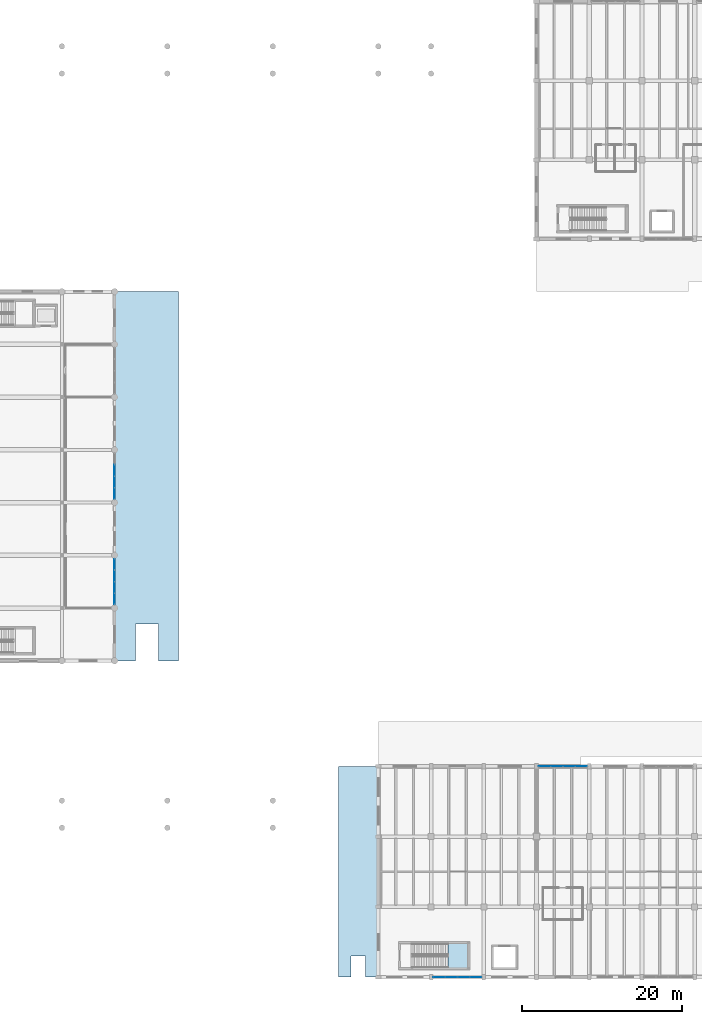
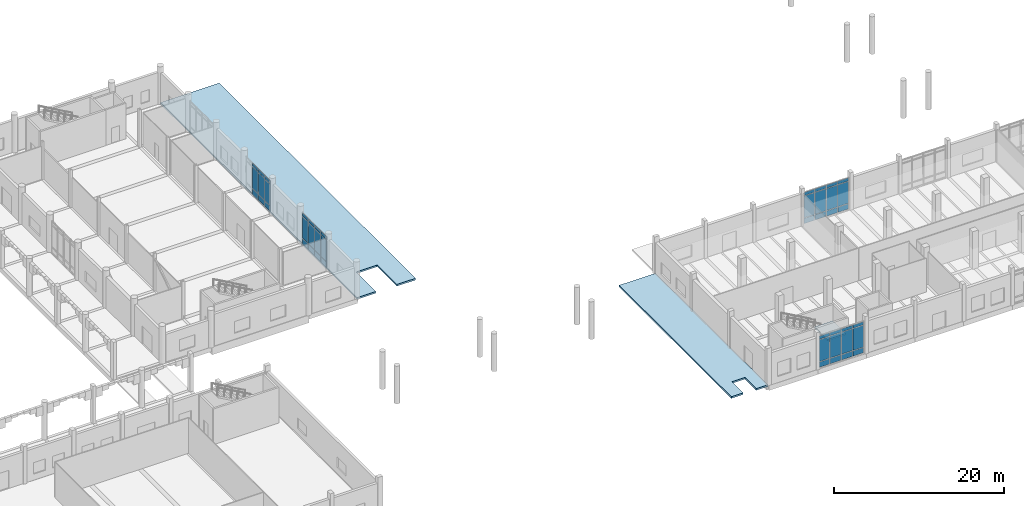
# One storey, part 33 of 72: 45 plates, 3 slabs, 5 elements without a shape of their own.
"""IFC4 building model written with IfcOpenShell, lengths in metres."""

from ifc_helpers import new_model, si_unit, direction, frame, origin, origin_2d, place, context, subcontext, project, spatial, polyline, rectangle, outline, extrude, material, layer, layer_set, type_object, element, aggregate, save


model = new_model("IFC4")

# Units and contexts
model_context = context("Model", 3, precision=1e-05, world=origin(), true_north=direction((0.0, 1.0)))
body_context = subcontext(model_context, "Body", "Model", "MODEL_VIEW")
ifc_project = project(units=[si_unit("LENGTHUNIT", "METRE"), si_unit("AREAUNIT", "SQUARE_METRE"), si_unit("VOLUMEUNIT", "CUBIC_METRE"), si_unit("PLANEANGLEUNIT", "RADIAN"), si_unit("MASSUNIT", "GRAM", prefix="KILO")], contexts=[model_context])

# Site, building, storey
site_placement = place(None, origin())
site = spatial("IfcSite", under=ifc_project, at=site_placement, CompositionType="ELEMENT")
building_placement = place(site_placement, origin())
building = spatial("IfcBuilding", under=site, at=building_placement, Name="Dornvale Research Institute", CompositionType="ELEMENT")
storey_placement = place(building_placement, origin())
storey = spatial("IfcBuildingStorey", under=building, at=storey_placement, Name="L00", CompositionType="ELEMENT", Elevation=0.0)

# Slabs
ifc_material_1 = material(Name="Concrete f'c 35 MPa (C30/37)", Category="concrete")
ifc_layer_1 = layer(ifc_material_1, 0.239990234375)
ifc_layer_set_1 = layer_set([ifc_layer_1], Name="Concrete f'c 35 MPa (C30/37)")
slab_type_1 = type_object("IfcSlabType", Name="BaseSlab_Apron_240_Ext", PredefinedType="BASESLAB", material=ifc_layer_set_1)
slab_1_placement = place(storey_placement, frame((0.0, 0.0, -0.239990234375)))
element("IfcSlab", 1, at=slab_1_placement, inside=storey, type_object=slab_type_1, Name="L00 exterior colonnade and grade walk APR-ST-V2E", PredefinedType="BASESLAB", context=body_context, shape_type="SweptSolid", body=[
    extrude(outline(polyline([(66.050048828125, 39.60009765625), (68.593994140625, 39.60009765625), (68.593994140625, 44.219970703125), (71.4560546875, 44.219970703125), (71.4560546875, 39.60009765625), (74.0, 39.60009765625), (74.0, 85.800048828125), (66.050048828125, 85.800048828125), (66.050048828125, 39.60009765625)])), origin(), (0.0, 0.0, 1.0), 0.239990234375),
])
slab_2_placement = place(storey_placement, frame((0.0, 0.0, -0.239990234375)))
element("IfcSlab", 2, at=slab_2_placement, inside=storey, type_object=slab_type_1, Name="L00 exterior colonnade and grade walk APR-ST-V3W", PredefinedType="BASESLAB", context=body_context, shape_type="SweptSolid", body=[
    extrude(outline(polyline([(94.0, 0.0), (95.583984375, 0.0), (95.583984375, 2.639892578125), (97.365966796875, 2.639892578125), (97.365966796875, 0.0), (98.949951171875, 0.0), (98.949951171875, 26.39990234375), (94.0, 26.39990234375), (94.0, 0.0)])), origin(), (0.0, 0.0, 1.0), 0.239990234375),
])

# Curtain wall, plates
ifc_material_2 = material(Name="Low-E Argon Double Insulating Glazing Unit", Category="glass")
curtain_wall_type_1 = type_object("IfcCurtainWallType", Name="UnitisedCurtainWall_V2_5810x4550", PredefinedType="USERDEFINED", material=ifc_material_2)
curtain_wall_1_placement = place(storey_placement, origin())
curtain_wall_1 = element("IfcCurtainWall", 3, at=curtain_wall_1_placement, inside=storey, type_object=curtain_wall_type_1, Name="L00 V2 unitised curtain wall CW-01 #3", ObjectType="UNITISED CURTAIN WALL", PredefinedType="USERDEFINED")
ifc_material_3 = material(Name="Insulated Ceramic-Frit Spandrel Glass Panel", Category="glass")
ifc_layer_2 = layer(ifc_material_3, 0.0419921875)
ifc_layer_set_2 = layer_set([ifc_layer_2], Name="Insulated Ceramic-Frit Spandrel Glass Panel")
plate_type_1 = type_object("IfcPlateType", Name="CurtainPanel_Spandrel_42", PredefinedType="CURTAIN_PANEL", material=ifc_layer_set_2)
plate_1_placement = place(storey_placement, frame((66.0, 63.42626953125, 0.06494140625), z_axis=(0.0, 0.0, 1.0), x_axis=(0.0, -1.0, 0.0)))
plate_1 = element("IfcPlate", 4, at=plate_1_placement, type_object=plate_type_1, Name="CW-01 panel 2.1", PredefinedType="CURTAIN_PANEL", context=body_context, shape_type="SweptSolid", body=[
    extrude(rectangle(XDim=1.387451171875, YDim=0.0419921875, at=origin_2d()), origin(), (0.0, 0.0, 1.0), 0.75244140625),
])
plate_2_placement = place(storey_placement, frame((66.0, 61.9736328125, 0.06494140625), z_axis=(0.0, 0.0, 1.0), x_axis=(0.0, -1.0, 0.0)))
plate_2 = element("IfcPlate", 5, at=plate_2_placement, type_object=plate_type_1, Name="CW-01 panel 3.1", PredefinedType="CURTAIN_PANEL", context=body_context, shape_type="SweptSolid", body=[
    extrude(rectangle(XDim=1.387451171875, YDim=0.0419921875, at=origin_2d()), origin(), (0.0, 0.0, 1.0), 0.75244140625),
])
plate_3_placement = place(storey_placement, frame((66.0, 60.53759765625, 0.06494140625), z_axis=(0.0, 0.0, 1.0), x_axis=(0.0, -1.0, 0.0)))
plate_3 = element("IfcPlate", 6, at=plate_3_placement, type_object=plate_type_1, Name="CW-01 panel 4.1", PredefinedType="CURTAIN_PANEL", context=body_context, shape_type="SweptSolid", body=[
    extrude(rectangle(XDim=1.35498046875, YDim=0.0419921875, at=origin_2d()), origin(), (0.0, 0.0, 1.0), 0.75244140625),
])

curtain_wall_2_placement = place(storey_placement, origin())
curtain_wall_2 = element("IfcCurtainWall", 7, at=curtain_wall_2_placement, inside=storey, type_object=curtain_wall_type_1, Name="L00 V2 unitised curtain wall CW-01 #4", ObjectType="UNITISED CURTAIN WALL", PredefinedType="USERDEFINED")
plate_4_placement = place(storey_placement, frame((66.0, 51.66259765625, 0.06494140625), z_axis=(0.0, 0.0, 1.0), x_axis=(0.0, -1.0, 0.0)))
plate_4 = element("IfcPlate", 8, at=plate_4_placement, type_object=plate_type_1, Name="CW-01 panel 1.1", PredefinedType="CURTAIN_PANEL", context=body_context, shape_type="SweptSolid", body=[
    extrude(rectangle(XDim=1.35498046875, YDim=0.0419921875, at=origin_2d()), origin(), (0.0, 0.0, 1.0), 0.75244140625),
])
plate_5_placement = place(storey_placement, frame((66.0, 50.226318359375, 0.06494140625), z_axis=(0.0, 0.0, 1.0), x_axis=(0.0, -1.0, 0.0)))
plate_5 = element("IfcPlate", 9, at=plate_5_placement, type_object=plate_type_1, Name="CW-01 panel 2.1", PredefinedType="CURTAIN_PANEL", context=body_context, shape_type="SweptSolid", body=[
    extrude(rectangle(XDim=1.387451171875, YDim=0.0419921875, at=origin_2d()), origin(), (0.0, 0.0, 1.0), 0.75244140625),
])
plate_6_placement = place(storey_placement, frame((66.0, 48.773681640625, 0.06494140625), z_axis=(0.0, 0.0, 1.0), x_axis=(0.0, -1.0, 0.0)))
plate_6 = element("IfcPlate", 10, at=plate_6_placement, type_object=plate_type_1, Name="CW-01 panel 3.1", PredefinedType="CURTAIN_PANEL", context=body_context, shape_type="SweptSolid", body=[
    extrude(rectangle(XDim=1.387451171875, YDim=0.0419921875, at=origin_2d()), origin(), (0.0, 0.0, 1.0), 0.75244140625),
])
plate_7_placement = place(storey_placement, frame((66.0, 47.33740234375, 0.06494140625), z_axis=(0.0, 0.0, 1.0), x_axis=(0.0, -1.0, 0.0)))
plate_7 = element("IfcPlate", 11, at=plate_7_placement, type_object=plate_type_1, Name="CW-01 panel 4.1", PredefinedType="CURTAIN_PANEL", context=body_context, shape_type="SweptSolid", body=[
    extrude(rectangle(XDim=1.35498046875, YDim=0.0419921875, at=origin_2d()), origin(), (0.0, 0.0, 1.0), 0.75244140625),
])

ifc_material_4 = material(Name="Low-E Argon Double Insulating Glazing Unit", Category="glass")
curtain_wall_type_2 = type_object("IfcCurtainWallType", Name="UnitisedCurtainWall_V3_6150x4600", PredefinedType="USERDEFINED", material=ifc_material_4)
curtain_wall_3_placement = place(storey_placement, origin())
curtain_wall_3 = element("IfcCurtainWall", 12, at=curtain_wall_3_placement, inside=storey, type_object=curtain_wall_type_2, Name="L00 V3 unitised curtain wall CW-04 #20", ObjectType="UNITISED CURTAIN WALL", PredefinedType="USERDEFINED")
plate_8_placement = place(storey_placement, frame((119.81005859375, 26.39990234375, 0.06494140625), z_axis=(0.0, 0.0, 1.0), x_axis=(1.0, 0.0, 0.0)))
plate_8 = element("IfcPlate", 13, at=plate_8_placement, type_object=plate_type_1, Name="CW-04 panel 1.1", PredefinedType="CURTAIN_PANEL", context=body_context, shape_type="SweptSolid", body=[
    extrude(rectangle(XDim=1.43994140625, YDim=0.0419921875, at=origin_2d()), origin(), (0.0, 0.0, 1.0), 0.75244140625),
])
plate_9_placement = place(storey_placement, frame((121.331298828125, 26.39990234375, 0.06494140625), z_axis=(0.0, 0.0, 1.0), x_axis=(1.0, 0.0, 0.0)))
plate_9 = element("IfcPlate", 14, at=plate_9_placement, type_object=plate_type_1, Name="CW-04 panel 2.1", PredefinedType="CURTAIN_PANEL", context=body_context, shape_type="SweptSolid", body=[
    extrude(rectangle(XDim=1.472412109375, YDim=0.0419921875, at=origin_2d()), origin(), (0.0, 0.0, 1.0), 0.75244140625),
])
plate_10_placement = place(storey_placement, frame((122.86865234375, 26.39990234375, 0.06494140625), z_axis=(0.0, 0.0, 1.0), x_axis=(1.0, 0.0, 0.0)))
plate_10 = element("IfcPlate", 15, at=plate_10_placement, type_object=plate_type_1, Name="CW-04 panel 3.1", PredefinedType="CURTAIN_PANEL", context=body_context, shape_type="SweptSolid", body=[
    extrude(rectangle(XDim=1.472412109375, YDim=0.0419921875, at=origin_2d()), origin(), (0.0, 0.0, 1.0), 0.75244140625),
])
plate_11_placement = place(storey_placement, frame((124.389892578125, 26.39990234375, 0.06494140625), z_axis=(0.0, 0.0, 1.0), x_axis=(1.0, 0.0, 0.0)))
plate_11 = element("IfcPlate", 16, at=plate_11_placement, type_object=plate_type_1, Name="CW-04 panel 4.1", PredefinedType="CURTAIN_PANEL", context=body_context, shape_type="SweptSolid", body=[
    extrude(rectangle(XDim=1.43994140625, YDim=0.0419921875, at=origin_2d()), origin(), (0.0, 0.0, 1.0), 0.75244140625),
])

curtain_wall_4_placement = place(storey_placement, origin())
curtain_wall_4 = element("IfcCurtainWall", 17, at=curtain_wall_4_placement, inside=storey, type_object=curtain_wall_type_2, Name="L00 V3 unitised curtain wall CW-04 #29", ObjectType="UNITISED CURTAIN WALL", PredefinedType="USERDEFINED")
plate_12_placement = place(storey_placement, frame((111.18994140625, 0.0, 0.06494140625), z_axis=(0.0, 0.0, 1.0), x_axis=(-1.0, 0.0, 0.0)))
plate_12 = element("IfcPlate", 18, at=plate_12_placement, type_object=plate_type_1, Name="CW-04 panel 1.1", PredefinedType="CURTAIN_PANEL", context=body_context, shape_type="SweptSolid", body=[
    extrude(rectangle(XDim=1.43994140625, YDim=0.0419921875, at=origin_2d()), origin(), (0.0, 0.0, 1.0), 0.75244140625),
])
plate_13_placement = place(storey_placement, frame((109.668701171875, 0.0, 0.06494140625), z_axis=(0.0, 0.0, 1.0), x_axis=(-1.0, 0.0, 0.0)))
plate_13 = element("IfcPlate", 19, at=plate_13_placement, type_object=plate_type_1, Name="CW-04 panel 2.1", PredefinedType="CURTAIN_PANEL", context=body_context, shape_type="SweptSolid", body=[
    extrude(rectangle(XDim=1.472412109375, YDim=0.0419921875, at=origin_2d()), origin(), (0.0, 0.0, 1.0), 0.75244140625),
])
plate_14_placement = place(storey_placement, frame((108.13134765625, 0.0, 0.06494140625), z_axis=(0.0, 0.0, 1.0), x_axis=(-1.0, 0.0, 0.0)))
plate_14 = element("IfcPlate", 20, at=plate_14_placement, type_object=plate_type_1, Name="CW-04 panel 3.1", PredefinedType="CURTAIN_PANEL", context=body_context, shape_type="SweptSolid", body=[
    extrude(rectangle(XDim=1.472412109375, YDim=0.0419921875, at=origin_2d()), origin(), (0.0, 0.0, 1.0), 0.75244140625),
])
plate_15_placement = place(storey_placement, frame((106.610107421875, 0.0, 0.06494140625), z_axis=(0.0, 0.0, 1.0), x_axis=(-1.0, 0.0, 0.0)))
plate_15 = element("IfcPlate", 21, at=plate_15_placement, type_object=plate_type_1, Name="CW-04 panel 4.1", PredefinedType="CURTAIN_PANEL", context=body_context, shape_type="SweptSolid", body=[
    extrude(rectangle(XDim=1.43994140625, YDim=0.0419921875, at=origin_2d()), origin(), (0.0, 0.0, 1.0), 0.75244140625),
])

# Plate
ifc_material_5 = material(Name="Low-E Argon Double Insulating Glazing Unit", Category="glass")
ifc_layer_3 = layer(ifc_material_5, 0.028076171875)
ifc_layer_set_3 = layer_set([ifc_layer_3], Name="Low-E Argon Double Insulating Glazing Unit")
plate_type_2 = type_object("IfcPlateType", Name="CurtainPanel_Vision_28", PredefinedType="CURTAIN_PANEL", material=ifc_layer_set_3)
plate_16_placement = place(storey_placement, frame((66.0, 63.42626953125, 0.882568359375), z_axis=(0.0, 0.0, 1.0), x_axis=(0.0, -1.0, 0.0)))
plate_16 = element("IfcPlate", 22, at=plate_16_placement, type_object=plate_type_2, Name="CW-01 panel 2.2", PredefinedType="CURTAIN_PANEL", context=body_context, shape_type="SweptSolid", body=[
    extrude(rectangle(XDim=1.387451171875, YDim=0.028076171875, at=origin_2d()), origin(), (0.0, 0.0, 1.0), 3.0849609375),
])

plate_17_placement = place(storey_placement, frame((66.0, 63.42626953125, 4.03271484375), z_axis=(0.0, 0.0, 1.0), x_axis=(0.0, -1.0, 0.0)))
plate_17 = element("IfcPlate", 23, at=plate_17_placement, type_object=plate_type_2, Name="CW-01 panel 2.3", PredefinedType="CURTAIN_PANEL", context=body_context, shape_type="SweptSolid", body=[
    extrude(rectangle(XDim=1.387451171875, YDim=0.028076171875, at=origin_2d()), origin(), (0.0, 0.0, 1.0), 0.452392578125),
])

plate_18_placement = place(storey_placement, frame((66.0, 61.9736328125, 0.882568359375), z_axis=(0.0, 0.0, 1.0), x_axis=(0.0, -1.0, 0.0)))
plate_18 = element("IfcPlate", 24, at=plate_18_placement, type_object=plate_type_2, Name="CW-01 panel 3.2", PredefinedType="CURTAIN_PANEL", context=body_context, shape_type="SweptSolid", body=[
    extrude(rectangle(XDim=1.387451171875, YDim=0.028076171875, at=origin_2d()), origin(), (0.0, 0.0, 1.0), 3.0849609375),
])

plate_19_placement = place(storey_placement, frame((66.0, 61.9736328125, 4.03271484375), z_axis=(0.0, 0.0, 1.0), x_axis=(0.0, -1.0, 0.0)))
plate_19 = element("IfcPlate", 25, at=plate_19_placement, type_object=plate_type_2, Name="CW-01 panel 3.3", PredefinedType="CURTAIN_PANEL", context=body_context, shape_type="SweptSolid", body=[
    extrude(rectangle(XDim=1.387451171875, YDim=0.028076171875, at=origin_2d()), origin(), (0.0, 0.0, 1.0), 0.452392578125),
])

plate_20_placement = place(storey_placement, frame((66.0, 60.53759765625, 0.882568359375), z_axis=(0.0, 0.0, 1.0), x_axis=(0.0, -1.0, 0.0)))
plate_20 = element("IfcPlate", 26, at=plate_20_placement, type_object=plate_type_2, Name="CW-01 panel 4.2", PredefinedType="CURTAIN_PANEL", context=body_context, shape_type="SweptSolid", body=[
    extrude(rectangle(XDim=1.35498046875, YDim=0.028076171875, at=origin_2d()), origin(), (0.0, 0.0, 1.0), 3.0849609375),
])

plate_21_placement = place(storey_placement, frame((66.0, 60.53759765625, 4.03271484375), z_axis=(0.0, 0.0, 1.0), x_axis=(0.0, -1.0, 0.0)))
plate_21 = element("IfcPlate", 27, at=plate_21_placement, type_object=plate_type_2, Name="CW-01 panel 4.3", PredefinedType="CURTAIN_PANEL", context=body_context, shape_type="SweptSolid", body=[
    extrude(rectangle(XDim=1.35498046875, YDim=0.028076171875, at=origin_2d()), origin(), (0.0, 0.0, 1.0), 0.452392578125),
])

aggregate(curtain_wall_1, [plate_1, plate_16, plate_17, plate_2, plate_18, plate_19, plate_3, plate_20, plate_21])

plate_22_placement = place(storey_placement, frame((66.0, 51.66259765625, 0.882568359375), z_axis=(0.0, 0.0, 1.0), x_axis=(0.0, -1.0, 0.0)))
plate_22 = element("IfcPlate", 28, at=plate_22_placement, type_object=plate_type_2, Name="CW-01 panel 1.2", PredefinedType="CURTAIN_PANEL", context=body_context, shape_type="SweptSolid", body=[
    extrude(rectangle(XDim=1.35498046875, YDim=0.028076171875, at=origin_2d()), origin(), (0.0, 0.0, 1.0), 3.0849609375),
])

plate_23_placement = place(storey_placement, frame((66.0, 51.66259765625, 4.03271484375), z_axis=(0.0, 0.0, 1.0), x_axis=(0.0, -1.0, 0.0)))
plate_23 = element("IfcPlate", 29, at=plate_23_placement, type_object=plate_type_2, Name="CW-01 panel 1.3", PredefinedType="CURTAIN_PANEL", context=body_context, shape_type="SweptSolid", body=[
    extrude(rectangle(XDim=1.35498046875, YDim=0.028076171875, at=origin_2d()), origin(), (0.0, 0.0, 1.0), 0.452392578125),
])

plate_24_placement = place(storey_placement, frame((66.0, 50.226318359375, 0.882568359375), z_axis=(0.0, 0.0, 1.0), x_axis=(0.0, -1.0, 0.0)))
plate_24 = element("IfcPlate", 30, at=plate_24_placement, type_object=plate_type_2, Name="CW-01 panel 2.2", PredefinedType="CURTAIN_PANEL", context=body_context, shape_type="SweptSolid", body=[
    extrude(rectangle(XDim=1.387451171875, YDim=0.028076171875, at=origin_2d()), origin(), (0.0, 0.0, 1.0), 3.0849609375),
])

plate_25_placement = place(storey_placement, frame((66.0, 50.226318359375, 4.03271484375), z_axis=(0.0, 0.0, 1.0), x_axis=(0.0, -1.0, 0.0)))
plate_25 = element("IfcPlate", 31, at=plate_25_placement, type_object=plate_type_2, Name="CW-01 panel 2.3", PredefinedType="CURTAIN_PANEL", context=body_context, shape_type="SweptSolid", body=[
    extrude(rectangle(XDim=1.387451171875, YDim=0.028076171875, at=origin_2d()), origin(), (0.0, 0.0, 1.0), 0.452392578125),
])

plate_26_placement = place(storey_placement, frame((66.0, 48.773681640625, 0.882568359375), z_axis=(0.0, 0.0, 1.0), x_axis=(0.0, -1.0, 0.0)))
plate_26 = element("IfcPlate", 32, at=plate_26_placement, type_object=plate_type_2, Name="CW-01 panel 3.2", PredefinedType="CURTAIN_PANEL", context=body_context, shape_type="SweptSolid", body=[
    extrude(rectangle(XDim=1.387451171875, YDim=0.028076171875, at=origin_2d()), origin(), (0.0, 0.0, 1.0), 3.0849609375),
])

plate_27_placement = place(storey_placement, frame((66.0, 48.773681640625, 4.03271484375), z_axis=(0.0, 0.0, 1.0), x_axis=(0.0, -1.0, 0.0)))
plate_27 = element("IfcPlate", 33, at=plate_27_placement, type_object=plate_type_2, Name="CW-01 panel 3.3", PredefinedType="CURTAIN_PANEL", context=body_context, shape_type="SweptSolid", body=[
    extrude(rectangle(XDim=1.387451171875, YDim=0.028076171875, at=origin_2d()), origin(), (0.0, 0.0, 1.0), 0.452392578125),
])

plate_28_placement = place(storey_placement, frame((66.0, 47.33740234375, 0.882568359375), z_axis=(0.0, 0.0, 1.0), x_axis=(0.0, -1.0, 0.0)))
plate_28 = element("IfcPlate", 34, at=plate_28_placement, type_object=plate_type_2, Name="CW-01 panel 4.2", PredefinedType="CURTAIN_PANEL", context=body_context, shape_type="SweptSolid", body=[
    extrude(rectangle(XDim=1.35498046875, YDim=0.028076171875, at=origin_2d()), origin(), (0.0, 0.0, 1.0), 3.0849609375),
])

plate_29_placement = place(storey_placement, frame((66.0, 47.33740234375, 4.03271484375), z_axis=(0.0, 0.0, 1.0), x_axis=(0.0, -1.0, 0.0)))
plate_29 = element("IfcPlate", 35, at=plate_29_placement, type_object=plate_type_2, Name="CW-01 panel 4.3", PredefinedType="CURTAIN_PANEL", context=body_context, shape_type="SweptSolid", body=[
    extrude(rectangle(XDim=1.35498046875, YDim=0.028076171875, at=origin_2d()), origin(), (0.0, 0.0, 1.0), 0.452392578125),
])

aggregate(curtain_wall_2, [plate_4, plate_22, plate_23, plate_5, plate_24, plate_25, plate_6, plate_26, plate_27, plate_7, plate_28, plate_29])

plate_30_placement = place(storey_placement, frame((119.81005859375, 26.39990234375, 0.88232421875), z_axis=(0.0, 0.0, 1.0), x_axis=(1.0, 0.0, 0.0)))
plate_30 = element("IfcPlate", 36, at=plate_30_placement, type_object=plate_type_2, Name="CW-04 panel 1.2", PredefinedType="CURTAIN_PANEL", context=body_context, shape_type="SweptSolid", body=[
    extrude(rectangle(XDim=1.43994140625, YDim=0.028076171875, at=origin_2d()), origin(), (0.0, 0.0, 1.0), 3.135009765625),
])

plate_31_placement = place(storey_placement, frame((119.81005859375, 26.39990234375, 4.08251953125), z_axis=(0.0, 0.0, 1.0), x_axis=(1.0, 0.0, 0.0)))
plate_31 = element("IfcPlate", 37, at=plate_31_placement, type_object=plate_type_2, Name="CW-04 panel 1.3", PredefinedType="CURTAIN_PANEL", context=body_context, shape_type="SweptSolid", body=[
    extrude(rectangle(XDim=1.43994140625, YDim=0.028076171875, at=origin_2d()), origin(), (0.0, 0.0, 1.0), 0.452392578125),
])

plate_32_placement = place(storey_placement, frame((121.331298828125, 26.39990234375, 0.88232421875), z_axis=(0.0, 0.0, 1.0), x_axis=(1.0, 0.0, 0.0)))
plate_32 = element("IfcPlate", 38, at=plate_32_placement, type_object=plate_type_2, Name="CW-04 panel 2.2", PredefinedType="CURTAIN_PANEL", context=body_context, shape_type="SweptSolid", body=[
    extrude(rectangle(XDim=1.472412109375, YDim=0.028076171875, at=origin_2d()), origin(), (0.0, 0.0, 1.0), 3.135009765625),
])

plate_33_placement = place(storey_placement, frame((121.331298828125, 26.39990234375, 4.08251953125), z_axis=(0.0, 0.0, 1.0), x_axis=(1.0, 0.0, 0.0)))
plate_33 = element("IfcPlate", 39, at=plate_33_placement, type_object=plate_type_2, Name="CW-04 panel 2.3", PredefinedType="CURTAIN_PANEL", context=body_context, shape_type="SweptSolid", body=[
    extrude(rectangle(XDim=1.472412109375, YDim=0.028076171875, at=origin_2d()), origin(), (0.0, 0.0, 1.0), 0.452392578125),
])

plate_34_placement = place(storey_placement, frame((122.86865234375, 26.39990234375, 0.88232421875), z_axis=(0.0, 0.0, 1.0), x_axis=(1.0, 0.0, 0.0)))
plate_34 = element("IfcPlate", 40, at=plate_34_placement, type_object=plate_type_2, Name="CW-04 panel 3.2", PredefinedType="CURTAIN_PANEL", context=body_context, shape_type="SweptSolid", body=[
    extrude(rectangle(XDim=1.472412109375, YDim=0.028076171875, at=origin_2d()), origin(), (0.0, 0.0, 1.0), 3.135009765625),
])

plate_35_placement = place(storey_placement, frame((122.86865234375, 26.39990234375, 4.08251953125), z_axis=(0.0, 0.0, 1.0), x_axis=(1.0, 0.0, 0.0)))
plate_35 = element("IfcPlate", 41, at=plate_35_placement, type_object=plate_type_2, Name="CW-04 panel 3.3", PredefinedType="CURTAIN_PANEL", context=body_context, shape_type="SweptSolid", body=[
    extrude(rectangle(XDim=1.472412109375, YDim=0.028076171875, at=origin_2d()), origin(), (0.0, 0.0, 1.0), 0.452392578125),
])

plate_36_placement = place(storey_placement, frame((124.389892578125, 26.39990234375, 0.88232421875), z_axis=(0.0, 0.0, 1.0), x_axis=(1.0, 0.0, 0.0)))
plate_36 = element("IfcPlate", 42, at=plate_36_placement, type_object=plate_type_2, Name="CW-04 panel 4.2", PredefinedType="CURTAIN_PANEL", context=body_context, shape_type="SweptSolid", body=[
    extrude(rectangle(XDim=1.43994140625, YDim=0.028076171875, at=origin_2d()), origin(), (0.0, 0.0, 1.0), 3.135009765625),
])

plate_37_placement = place(storey_placement, frame((124.389892578125, 26.39990234375, 4.08251953125), z_axis=(0.0, 0.0, 1.0), x_axis=(1.0, 0.0, 0.0)))
plate_37 = element("IfcPlate", 43, at=plate_37_placement, type_object=plate_type_2, Name="CW-04 panel 4.3", PredefinedType="CURTAIN_PANEL", context=body_context, shape_type="SweptSolid", body=[
    extrude(rectangle(XDim=1.43994140625, YDim=0.028076171875, at=origin_2d()), origin(), (0.0, 0.0, 1.0), 0.452392578125),
])

aggregate(curtain_wall_3, [plate_8, plate_30, plate_31, plate_9, plate_32, plate_33, plate_10, plate_34, plate_35, plate_11, plate_36, plate_37])

plate_38_placement = place(storey_placement, frame((111.18994140625, 0.0, 0.88232421875), z_axis=(0.0, 0.0, 1.0), x_axis=(-1.0, 0.0, 0.0)))
plate_38 = element("IfcPlate", 44, at=plate_38_placement, type_object=plate_type_2, Name="CW-04 panel 1.2", PredefinedType="CURTAIN_PANEL", context=body_context, shape_type="SweptSolid", body=[
    extrude(rectangle(XDim=1.43994140625, YDim=0.028076171875, at=origin_2d()), origin(), (0.0, 0.0, 1.0), 3.135009765625),
])

plate_39_placement = place(storey_placement, frame((111.18994140625, 0.0, 4.08251953125), z_axis=(0.0, 0.0, 1.0), x_axis=(-1.0, 0.0, 0.0)))
plate_39 = element("IfcPlate", 45, at=plate_39_placement, type_object=plate_type_2, Name="CW-04 panel 1.3", PredefinedType="CURTAIN_PANEL", context=body_context, shape_type="SweptSolid", body=[
    extrude(rectangle(XDim=1.43994140625, YDim=0.028076171875, at=origin_2d()), origin(), (0.0, 0.0, 1.0), 0.452392578125),
])

plate_40_placement = place(storey_placement, frame((109.668701171875, 0.0, 0.88232421875), z_axis=(0.0, 0.0, 1.0), x_axis=(-1.0, 0.0, 0.0)))
plate_40 = element("IfcPlate", 46, at=plate_40_placement, type_object=plate_type_2, Name="CW-04 panel 2.2", PredefinedType="CURTAIN_PANEL", context=body_context, shape_type="SweptSolid", body=[
    extrude(rectangle(XDim=1.472412109375, YDim=0.028076171875, at=origin_2d()), origin(), (0.0, 0.0, 1.0), 3.135009765625),
])

plate_41_placement = place(storey_placement, frame((109.668701171875, 0.0, 4.08251953125), z_axis=(0.0, 0.0, 1.0), x_axis=(-1.0, 0.0, 0.0)))
plate_41 = element("IfcPlate", 47, at=plate_41_placement, type_object=plate_type_2, Name="CW-04 panel 2.3", PredefinedType="CURTAIN_PANEL", context=body_context, shape_type="SweptSolid", body=[
    extrude(rectangle(XDim=1.472412109375, YDim=0.028076171875, at=origin_2d()), origin(), (0.0, 0.0, 1.0), 0.452392578125),
])

plate_42_placement = place(storey_placement, frame((108.13134765625, 0.0, 0.88232421875), z_axis=(0.0, 0.0, 1.0), x_axis=(-1.0, 0.0, 0.0)))
plate_42 = element("IfcPlate", 48, at=plate_42_placement, type_object=plate_type_2, Name="CW-04 panel 3.2", PredefinedType="CURTAIN_PANEL", context=body_context, shape_type="SweptSolid", body=[
    extrude(rectangle(XDim=1.472412109375, YDim=0.028076171875, at=origin_2d()), origin(), (0.0, 0.0, 1.0), 3.135009765625),
])

plate_43_placement = place(storey_placement, frame((108.13134765625, 0.0, 4.08251953125), z_axis=(0.0, 0.0, 1.0), x_axis=(-1.0, 0.0, 0.0)))
plate_43 = element("IfcPlate", 49, at=plate_43_placement, type_object=plate_type_2, Name="CW-04 panel 3.3", PredefinedType="CURTAIN_PANEL", context=body_context, shape_type="SweptSolid", body=[
    extrude(rectangle(XDim=1.472412109375, YDim=0.028076171875, at=origin_2d()), origin(), (0.0, 0.0, 1.0), 0.452392578125),
])

plate_44_placement = place(storey_placement, frame((106.610107421875, 0.0, 0.88232421875), z_axis=(0.0, 0.0, 1.0), x_axis=(-1.0, 0.0, 0.0)))
plate_44 = element("IfcPlate", 50, at=plate_44_placement, type_object=plate_type_2, Name="CW-04 panel 4.2", PredefinedType="CURTAIN_PANEL", context=body_context, shape_type="SweptSolid", body=[
    extrude(rectangle(XDim=1.43994140625, YDim=0.028076171875, at=origin_2d()), origin(), (0.0, 0.0, 1.0), 3.135009765625),
])

plate_45_placement = place(storey_placement, frame((106.610107421875, 0.0, 4.08251953125), z_axis=(0.0, 0.0, 1.0), x_axis=(-1.0, 0.0, 0.0)))
plate_45 = element("IfcPlate", 51, at=plate_45_placement, type_object=plate_type_2, Name="CW-04 panel 4.3", PredefinedType="CURTAIN_PANEL", context=body_context, shape_type="SweptSolid", body=[
    extrude(rectangle(XDim=1.43994140625, YDim=0.028076171875, at=origin_2d()), origin(), (0.0, 0.0, 1.0), 0.452392578125),
])

aggregate(curtain_wall_4, [plate_12, plate_38, plate_39, plate_13, plate_40, plate_41, plate_14, plate_42, plate_43, plate_15, plate_44, plate_45])

# Stair, slab
ifc_material_6 = material(Name="Concrete f'c 45 MPa (C35/45)", Category="concrete")
stair_type = type_object("IfcStairType", Name="HalfTurnStair_RC", PredefinedType="HALF_TURN_STAIR", material=ifc_material_6)
stair_placement = place(storey_placement, origin())
stair = element("IfcStair", 52, at=stair_placement, inside=storey, type_object=stair_type, Name="L00 Exit stair ST-5", PredefinedType="HALF_TURN_STAIR")
ifc_material_7 = material(Name="Concrete f'c 45 MPa (C35/45)", Category="concrete")
ifc_layer_4 = layer(ifc_material_7, 0.199951171875)
ifc_layer_set_4 = layer_set([ifc_layer_4], Name="Concrete f'c 45 MPa (C35/45)")
slab_type_2 = type_object("IfcSlabType", Name="Landing_Stair_200", PredefinedType="LANDING", material=ifc_layer_set_4)
slab_3_placement = place(storey_placement, frame((0.0, 0.0, 2.5)))
slab_3 = element("IfcSlab", 53, at=slab_3_placement, type_object=slab_type_2, Name="ST-5 landing 1", PredefinedType="LANDING", context=body_context, shape_type="SweptSolid", body=[
    extrude(outline(polyline([(107.68994140625, 1.169921875), (107.68994140625, 4.22998046875), (110.22998046875, 4.22998046875), (110.22998046875, 1.169921875), (107.68994140625, 1.169921875)])), origin(), (0.0, 0.0, 1.0), 0.199951171875),
])
aggregate(stair, [slab_3])

save(model, "model.ifc")
